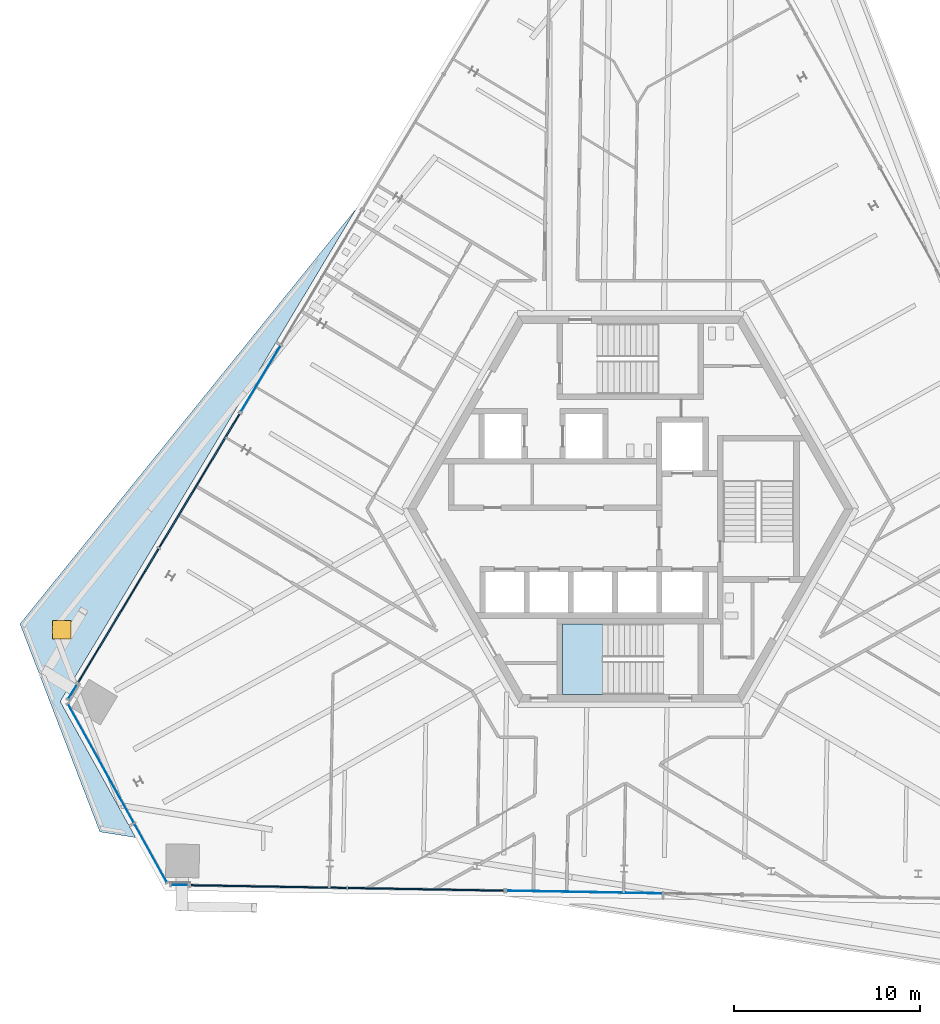
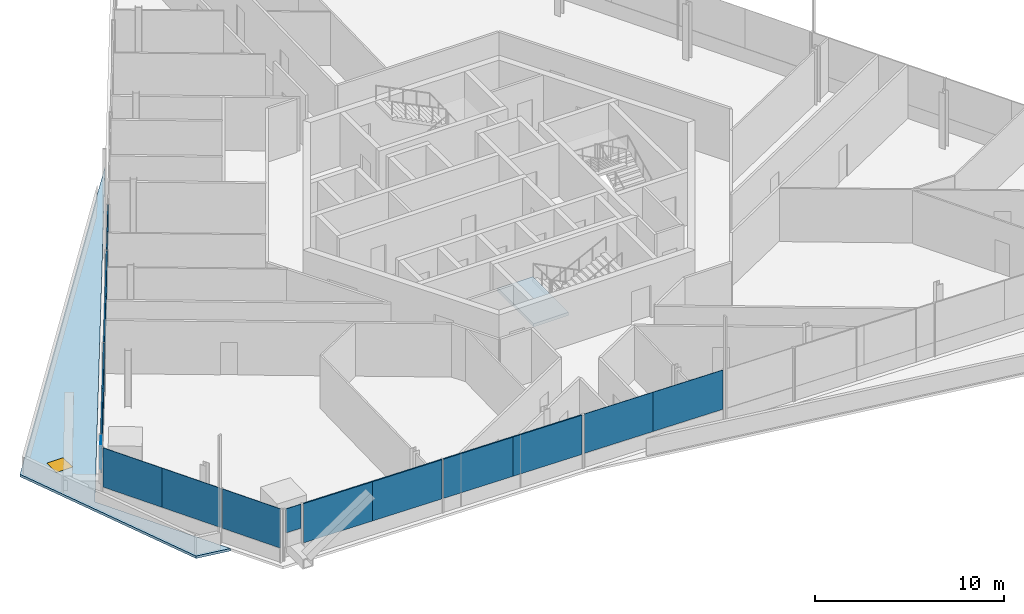
# One storey, part 10 of 22: 16 plates, 2 slabs, 1 door, 1 opening, 8 elements without a shape of their own.
"""IFC4 building model written with IfcOpenShell, lengths in metres."""

from ifc_helpers import new_model, si_unit, direction, frame, origin, origin_2d, place, context, subcontext, project, spatial, polyline, rectangle, outline, extrude, source, transform, mapped, material, layer, layer_set, type_object, element, fill, aggregate, save


model = new_model("IFC4")

# Units and contexts
model_context = context("Model", 3, precision=1e-05, world=origin(), true_north=direction((0.0, 1.0)))
body_context = subcontext(model_context, "Body", "Model", "MODEL_VIEW")
ifc_project = project(units=[si_unit("LENGTHUNIT", "METRE"), si_unit("AREAUNIT", "SQUARE_METRE"), si_unit("VOLUMEUNIT", "CUBIC_METRE"), si_unit("PLANEANGLEUNIT", "RADIAN"), si_unit("MASSUNIT", "GRAM", prefix="KILO")], contexts=[model_context])

# Site, building, storey
site_placement = place(None, origin())
site = spatial("IfcSite", under=ifc_project, at=site_placement, CompositionType="ELEMENT")
building_placement = place(site_placement, origin())
building = spatial("IfcBuilding", under=site, at=building_placement, Name="Triune Harvest Tower", CompositionType="ELEMENT")
storey_placement = place(building_placement, frame((0.0, 0.0, 179.89990234375)))
storey = spatial("IfcBuildingStorey", under=building, at=storey_placement, Name="L46", CompositionType="ELEMENT", Elevation=179.89990234375)

# Curtain wall, plate
ifc_material_1 = material(Name="Aluminium bronze anodised", Category="aluminium")
curtain_wall_type_1 = type_object("IfcCurtainWallType", Name="CW-1 Tower stick curtain wall", PredefinedType="NOTDEFINED", material=ifc_material_1)
curtain_wall_1_placement = place(storey_placement, origin())
curtain_wall_1 = element("IfcCurtainWall", 1, at=curtain_wall_1_placement, inside=storey, type_object=curtain_wall_type_1, Name="CW-1 B5-F5 L46 run 1101")
ifc_material_2 = material(Name="Glass", Category="glass")
ifc_layer_1 = layer(ifc_material_2, 0.031982421875)
ifc_layer_set_1 = layer_set([ifc_layer_1], Name="Glass")
plate_type_1 = type_object("IfcPlateType", Name="GL-1 panel 32", PredefinedType="CURTAIN_PANEL", material=ifc_layer_set_1)
plate_1_placement = place(storey_placement, frame((-0.379638671875, -20.673583984375, 0.900146484375), z_axis=(0.0, 0.0, 1.0), x_axis=(0.999847726792, -0.017450593962, 0.0)))
plate_1 = element("IfcPlate", 2, at=plate_1_placement, type_object=plate_type_1, Name="CW-1 panel B5-F5 1101.2", PredefinedType="CURTAIN_PANEL", context=body_context, shape_type="SweptSolid", body=[
    extrude(rectangle(XDim=4.21630859375, YDim=0.031982421875, at=origin_2d()), origin(), (0.0, 0.0, 1.0), 2.5400390625),
])

# Slab, opening, door
ifc_material_3 = material(Name="Concrete 40 MPa", Category="concrete")
ifc_layer_2 = layer(ifc_material_3, 0.159912109375)
ifc_layer_set_2 = layer_set([ifc_layer_2], Name="Concrete 40 MPa")
slab_type_1 = type_object("IfcSlabType", Name="WR-1 Wedge roof slab 160", PredefinedType="ROOF", material=ifc_layer_set_2)
slab_1_placement = place(storey_placement, frame((0.0, 0.0, -0.159912109375)))
slab_1 = element("IfcSlab", 3, at=slab_1_placement, inside=storey, type_object=slab_type_1, Name="Wedge roof slab L45 1", PredefinedType="ROOF", context=body_context, shape_type="SweptSolid", body=[
    extrude(outline(polyline([(-28.572998046875, -17.39501953125), (-26.64501953125, -17.700439453125), (-30.7060546875, -10.373779296875), (-14.73388671875, 16.208251953125), (-32.873291015625, -6.19189453125), (-28.572998046875, -17.39501953125)])), origin(), (0.0, 0.0, 1.0), 0.159912109375),
])
opening_placement = place(slab_1_placement, frame((-30.6259765625, -6.509033203125, 0.0)))
opening = element("IfcOpeningElement", 4, at=opening_placement, cuts=slab_1, Name="Opening RH-L45.3", PredefinedType="OPENING", context=body_context, shape_type="SweptSolid", body=[
    extrude(rectangle(XDim=1.0, YDim=1.0, at=origin_2d()), origin(), (0.0, 0.0, 1.0), 0.159912109375),
])
ifc_material_4 = material(Name="Aluminium bronze anodised", Category="aluminium")
door_type = type_object("IfcDoorType", Name="RH-1 roof hatch 1000 x 1000", OperationType="SINGLE_SWING_LEFT", PredefinedType="TRAPDOOR", material=ifc_material_4)
door_placement = place(opening_placement, frame((0.0, 0.0, 0.10986328125)))
door = element("IfcDoor", 5, at=door_placement, inside=storey, type_object=door_type, Name="Roof hatch L45.3", OperationType="SINGLE_SWING_LEFT", OverallHeight=1.0, OverallWidth=1.0, PredefinedType="TRAPDOOR", context=body_context, shape_type="SweptSolid", body=[
    extrude(rectangle(XDim=1.0, YDim=1.0, at=origin_2d()), origin(), (0.0, 0.0, 1.0), 0.050048828125),
])
fill(opening, door)

# Stair, slab
ifc_material_5 = material(Name="Concrete 40 MPa", Category="concrete")
stair_type = type_object("IfcStairType", Name="Exit stair 1800 half turn", PredefinedType="HALF_TURN_STAIR", material=ifc_material_5)
stair_placement = place(storey_placement, origin())
stair = element("IfcStair", 6, at=stair_placement, inside=storey, type_object=stair_type, Name="Exit stair south", PredefinedType="HALF_TURN_STAIR")
ifc_material_6 = material(Name="Concrete 40 MPa", Category="concrete")
ifc_layer_3 = layer(ifc_material_6, 0.199951171875)
ifc_layer_set_3 = layer_set([ifc_layer_3], Name="Concrete 40 MPa")
slab_type_2 = type_object("IfcSlabType", Name="Stair landing 200", PredefinedType="LANDING", material=ifc_layer_set_3)
shared_shape_1 = source(origin(), body_context, "Body", "SweptSolid", [
    extrude(outline(polyline([(-1.510009765625, -6.18994140625), (-3.64990234375, -6.18994140625), (-3.64990234375, -9.989990234375), (-1.510009765625, -9.989990234375), (-1.510009765625, -6.18994140625)])), origin(), (0.0, 0.0, 1.0), 0.199951171875),
])
slab_2_placement = place(storey_placement, frame((0.0, 0.0, 1.60009765625)))
slab_2 = element("IfcSlab", 7, at=slab_2_placement, type_object=slab_type_2, Name="ST-2 landing 2", PredefinedType="LANDING", context=body_context, shape_type="MappedRepresentation", body=[
    mapped(shared_shape_1, transform((0.0, 0.0, 0.0), scale=1.0)),
])
aggregate(stair, [slab_2])

# Curtain wall, plate
curtain_wall_2_placement = place(storey_placement, origin())
curtain_wall_2 = element("IfcCurtainWall", 8, at=curtain_wall_2_placement, inside=storey, type_object=curtain_wall_type_1, Name="CW-1 B5-F3 L46 run 201")
shared_shape_2 = source(origin(), body_context, "Body", "SweptSolid", [
    extrude(rectangle(XDim=0.896728515625, YDim=0.031982421875, at=origin_2d()), origin(), (0.0, 0.0, 1.0), 1.554931640625),
])
plate_2_placement = place(storey_placement, frame((-30.04345703125, -9.85400390625, 1.88525390625), z_axis=(0.0, 0.0, 1.0), x_axis=(-0.514973387448, -0.857206165529, 0.0)))
plate_2 = element("IfcPlate", 9, at=plate_2_placement, type_object=plate_type_1, Name="CW-1 panel B5-F3 201.1", PredefinedType="CURTAIN_PANEL", context=body_context, shape_type="MappedRepresentation", body=[
    mapped(shared_shape_2, transform((0.0, 0.0, 0.0), scale=1.0)),
])
aggregate(curtain_wall_2, [plate_2])

curtain_wall_3_placement = place(storey_placement, origin())
curtain_wall_3 = element("IfcCurtainWall", 10, at=curtain_wall_3_placement, inside=storey, type_object=curtain_wall_type_1, Name="CW-1 B5-F5 L46 run 1")
plate_3_placement = place(storey_placement, frame((-24.27734375, -20.256591796875, 1.88525390625), z_axis=(0.0, 0.0, 1.0), x_axis=(0.999848834448, -0.017387013935, 0.0)))
plate_3 = element("IfcPlate", 11, at=plate_3_placement, type_object=plate_type_1, Name="CW-1 panel B5-F5 1.1", PredefinedType="CURTAIN_PANEL", context=body_context, shape_type="MappedRepresentation", body=[
    mapped(shared_shape_2, transform((0.0, 0.0, 0.0), scale=1.0)),
])
aggregate(curtain_wall_3, [plate_3])

# Curtain wall, plates
curtain_wall_4_placement = place(storey_placement, origin())
curtain_wall_4 = element("IfcCurtainWall", 12, at=curtain_wall_4_placement, inside=storey, type_object=curtain_wall_type_1, Name="CW-1 B5-F4 L46 run 1")
shared_shape_3 = source(origin(), body_context, "Body", "SweptSolid", [
    extrude(rectangle(XDim=3.625, YDim=0.031982421875, at=origin_2d()), origin(), (0.0, 0.0, 1.0), 2.5400390625),
])
plate_4_placement = place(storey_placement, frame((-29.400634765625, -12.109375, 0.900146484375), z_axis=(0.0, 0.0, 1.0), x_axis=(0.484801950362, -0.874623958582, 0.0)))
plate_4 = element("IfcPlate", 13, at=plate_4_placement, type_object=plate_type_1, Name="CW-1 panel B5-F4 1.1", PredefinedType="CURTAIN_PANEL", context=body_context, shape_type="MappedRepresentation", body=[
    mapped(shared_shape_3, transform((0.0, 0.0, 0.0), scale=1.0)),
])
shared_shape_4 = source(origin(), body_context, "Body", "SweptSolid", [
    extrude(rectangle(XDim=3.66259765625, YDim=0.031982421875, at=origin_2d()), origin(), (0.0, 0.0, 1.0), 2.5400390625),
])
plate_5_placement = place(storey_placement, frame((-27.634033203125, -15.29638671875, 0.900146484375), z_axis=(0.0, 0.0, 1.0), x_axis=(0.484801950362, -0.874623958582, 0.0)))
plate_5 = element("IfcPlate", 14, at=plate_5_placement, type_object=plate_type_1, Name="CW-1 panel B5-F4 1.2", PredefinedType="CURTAIN_PANEL", context=body_context, shape_type="MappedRepresentation", body=[
    mapped(shared_shape_4, transform((0.0, 0.0, 0.0), scale=1.0)),
])
shared_shape_5 = source(origin(), body_context, "Body", "SweptSolid", [
    extrude(rectangle(XDim=3.587646484375, YDim=0.031982421875, at=origin_2d()), origin(), (0.0, 0.0, 1.0), 2.5400390625),
])
plate_6_placement = place(storey_placement, frame((-25.84033203125, -18.532470703125, 0.900146484375), z_axis=(0.0, 0.0, 1.0), x_axis=(0.484801950362, -0.874623958582, 0.0)))
plate_6 = element("IfcPlate", 15, at=plate_6_placement, type_object=plate_type_1, Name="CW-1 panel B5-F4 1.3", PredefinedType="CURTAIN_PANEL", context=body_context, shape_type="MappedRepresentation", body=[
    mapped(shared_shape_5, transform((0.0, 0.0, 0.0), scale=1.0)),
])
aggregate(curtain_wall_4, [plate_4, plate_5, plate_6])

ifc_material_7 = material(Name="Aluminium bronze anodised", Category="aluminium")
curtain_wall_type_2 = type_object("IfcCurtainWallType", Name="CW-7 Tower stick curtain wall with insulated spandrel infill", PredefinedType="NOTDEFINED", material=ifc_material_7)
curtain_wall_5_placement = place(storey_placement, origin())
curtain_wall_5 = element("IfcCurtainWall", 16, at=curtain_wall_5_placement, inside=storey, type_object=curtain_wall_type_2, Name="CW-7 B5-F3 L46 run 2101")
ifc_material_8 = material(Name="Insulated spandrel panel, bronze aluminium pan", Category="aluminium")
ifc_layer_4 = layer(ifc_material_8, 0.080078125)
ifc_layer_set_4 = layer_set([ifc_layer_4], Name="Insulated spandrel panel, bronze aluminium pan")
plate_type_2 = type_object("IfcPlateType", Name="SP-1 insulated spandrel panel 80", PredefinedType="CURTAIN_PANEL", material=ifc_layer_set_4)
shared_shape_6 = source(origin(), body_context, "Body", "SweptSolid", [
    extrude(rectangle(XDim=4.178955078125, YDim=0.080078125, at=origin_2d()), origin(), (0.0, 0.0, 1.0), 2.5400390625),
])
plate_7_placement = place(storey_placement, frame((-22.125, 3.324462890625, 0.900146484375), z_axis=(0.0, 0.0, 1.0), x_axis=(-0.515034081961, -0.857169699895, 0.0)))
plate_7 = element("IfcPlate", 17, at=plate_7_placement, type_object=plate_type_2, Name="CW-7 panel B5-F3 2101.1", PredefinedType="CURTAIN_PANEL", context=body_context, shape_type="MappedRepresentation", body=[
    mapped(shared_shape_6, transform((0.0, 0.0, 0.0), scale=1.0)),
])
plate_8_placement = place(storey_placement, frame((-28.6591796875, -7.55029296875, 0.900146484375), z_axis=(0.0, 0.0, 1.0), x_axis=(-0.515034081961, -0.857169699895, 0.0)))
plate_8 = element("IfcPlate", 18, at=plate_8_placement, type_object=plate_type_2, Name="CW-7 panel B5-F3 2101.4", PredefinedType="CURTAIN_PANEL", context=body_context, shape_type="MappedRepresentation", body=[
    mapped(shared_shape_6, transform((0.0, 0.0, 0.0), scale=1.0)),
])

curtain_wall_6_placement = place(storey_placement, origin())
curtain_wall_6 = element("IfcCurtainWall", 19, at=curtain_wall_6_placement, inside=storey, type_object=curtain_wall_type_2, Name="CW-7 B5-F5 L46 run 101")
plate_9_placement = place(storey_placement, frame((-21.58984375, -20.303466796875, 0.900146484375), z_axis=(0.0, 0.0, 1.0), x_axis=(0.999847660811, -0.017454373979, 0.0)))
plate_9 = element("IfcPlate", 20, at=plate_9_placement, type_object=plate_type_2, Name="CW-7 panel B5-F5 101.1", PredefinedType="CURTAIN_PANEL", context=body_context, shape_type="MappedRepresentation", body=[
    mapped(shared_shape_6, transform((0.0, 0.0, 0.0), scale=1.0)),
])
plate_10_placement = place(storey_placement, frame((-8.905029296875, -20.52490234375, 0.900146484375), z_axis=(0.0, 0.0, 1.0), x_axis=(0.999847660811, -0.017454373979, 0.0)))
plate_10 = element("IfcPlate", 21, at=plate_10_placement, type_object=plate_type_2, Name="CW-7 panel B5-F5 101.4", PredefinedType="CURTAIN_PANEL", context=body_context, shape_type="MappedRepresentation", body=[
    mapped(shared_shape_6, transform((0.0, 0.0, 0.0), scale=1.0)),
])

# Plate
shared_shape_7 = source(origin(), body_context, "Body", "SweptSolid", [
    extrude(rectangle(XDim=4.216552734375, YDim=0.080078125, at=origin_2d()), origin(), (0.0, 0.0, 1.0), 2.5400390625),
])
plate_11_placement = place(storey_placement, frame((-24.286865234375, -0.2734375, 0.900146484375), z_axis=(0.0, 0.0, 1.0), x_axis=(-0.515034081961, -0.857169699895, 0.0)))
plate_11 = element("IfcPlate", 22, at=plate_11_placement, type_object=plate_type_2, Name="CW-7 panel B5-F3 2101.2", PredefinedType="CURTAIN_PANEL", context=body_context, shape_type="MappedRepresentation", body=[
    mapped(shared_shape_7, transform((0.0, 0.0, 0.0), scale=1.0)),
])

plate_12_placement = place(storey_placement, frame((-26.4970703125, -3.9521484375, 0.900146484375), z_axis=(0.0, 0.0, 1.0), x_axis=(-0.515034081961, -0.857169699895, 0.0)))
plate_12 = element("IfcPlate", 23, at=plate_12_placement, type_object=plate_type_2, Name="CW-7 panel B5-F3 2101.3", PredefinedType="CURTAIN_PANEL", context=body_context, shape_type="MappedRepresentation", body=[
    mapped(shared_shape_7, transform((0.0, 0.0, 0.0), scale=1.0)),
])

aggregate(curtain_wall_5, [plate_7, plate_11, plate_12, plate_8])

plate_13_placement = place(storey_placement, frame((-17.392822265625, -20.376708984375, 0.900146484375), z_axis=(0.0, 0.0, 1.0), x_axis=(0.999847660811, -0.017454373979, 0.0)))
plate_13 = element("IfcPlate", 24, at=plate_13_placement, type_object=plate_type_2, Name="CW-7 panel B5-F5 101.2", PredefinedType="CURTAIN_PANEL", context=body_context, shape_type="MappedRepresentation", body=[
    mapped(shared_shape_7, transform((0.0, 0.0, 0.0), scale=1.0)),
])

plate_14_placement = place(storey_placement, frame((-13.10205078125, -20.45166015625, 0.900146484375), z_axis=(0.0, 0.0, 1.0), x_axis=(0.999847660811, -0.017454373979, 0.0)))
plate_14 = element("IfcPlate", 25, at=plate_14_placement, type_object=plate_type_2, Name="CW-7 panel B5-F5 101.3", PredefinedType="CURTAIN_PANEL", context=body_context, shape_type="MappedRepresentation", body=[
    mapped(shared_shape_7, transform((0.0, 0.0, 0.0), scale=1.0)),
])

aggregate(curtain_wall_6, [plate_9, plate_13, plate_14, plate_10])

shared_shape_8 = source(origin(), body_context, "Body", "SweptSolid", [
    extrude(rectangle(XDim=4.178955078125, YDim=0.031982421875, at=origin_2d()), origin(), (0.0, 0.0, 1.0), 2.5400390625),
])
plate_15_placement = place(storey_placement, frame((-4.57666015625, -20.600341796875, 0.900146484375), z_axis=(0.0, 0.0, 1.0), x_axis=(0.999847726792, -0.017450593962, 0.0)))
plate_15 = element("IfcPlate", 26, at=plate_15_placement, type_object=plate_type_1, Name="CW-1 panel B5-F5 1101.1", PredefinedType="CURTAIN_PANEL", context=body_context, shape_type="MappedRepresentation", body=[
    mapped(shared_shape_8, transform((0.0, 0.0, 0.0), scale=1.0)),
])

aggregate(curtain_wall_1, [plate_15, plate_1])

# Curtain wall, plate
curtain_wall_7_placement = place(storey_placement, origin())
curtain_wall_7 = element("IfcCurtainWall", 27, at=curtain_wall_7_placement, inside=storey, type_object=curtain_wall_type_1, Name="CW-1 B5-F3 L46 run 1101")
shared_shape_9 = source(origin(), body_context, "Body", "SweptSolid", [
    extrude(rectangle(XDim=4.141357421875, YDim=0.031982421875, at=origin_2d()), origin(), (0.0, 0.0, 1.0), 2.5400390625),
])
plate_16_placement = place(storey_placement, frame((-19.905029296875, 7.01904296875, 0.900146484375), z_axis=(0.0, 0.0, 1.0), x_axis=(-0.515043008225, -0.857164336448, 0.0)))
plate_16 = element("IfcPlate", 28, at=plate_16_placement, type_object=plate_type_1, Name="CW-1 panel B5-F3 1101.3", PredefinedType="CURTAIN_PANEL", context=body_context, shape_type="MappedRepresentation", body=[
    mapped(shared_shape_9, transform((0.0, 0.0, 0.0), scale=1.0)),
])
aggregate(curtain_wall_7, [plate_16])

save(model, "model.ifc")
